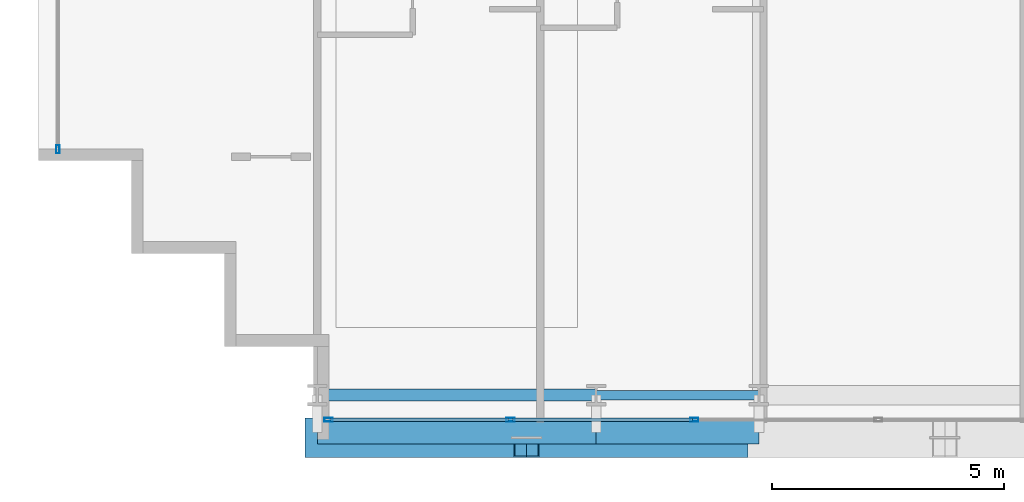
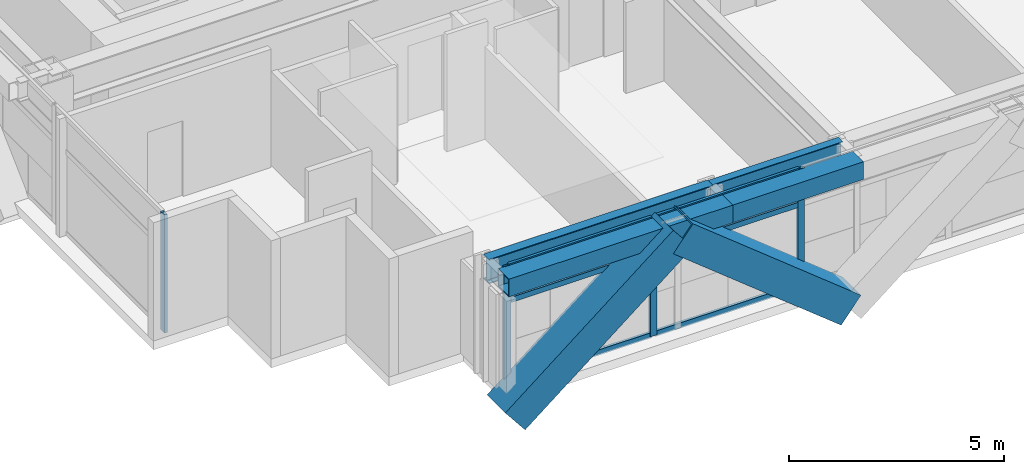
# One storey, part 2 of 35: 12 members, 4 beams, 2 elements without a shape of their own.
"""IFC4 building model written with IfcOpenShell, lengths in metres."""

from ifc_helpers import new_model, si_unit, direction, frame, origin, origin_2d, place, context, subcontext, project, spatial, hollow_rectangle, i_section, extrude, source, transform, mapped, material, layer, layer_set, material_profile, profile_set, type_object, element, aggregate, save


model = new_model("IFC4")

# Units and contexts
model_context = context("Model", 3, precision=1e-05, world=origin(), true_north=direction((0.0, 1.0)))
body_context = subcontext(model_context, "Body", "Model", "MODEL_VIEW")
ifc_project = project(units=[si_unit("LENGTHUNIT", "METRE"), si_unit("AREAUNIT", "SQUARE_METRE"), si_unit("VOLUMEUNIT", "CUBIC_METRE"), si_unit("PLANEANGLEUNIT", "RADIAN"), si_unit("MASSUNIT", "GRAM", prefix="KILO")], contexts=[model_context])

# Site, building, storey
site_placement = place(None, origin())
site = spatial("IfcSite", under=ifc_project, at=site_placement, CompositionType="ELEMENT")
building_placement = place(site_placement, origin())
building = spatial("IfcBuilding", under=site, at=building_placement, Name="Ocotamira Hotel", CompositionType="ELEMENT")
storey_placement = place(building_placement, frame((0.0, 0.0, 70.800048828125)))
storey = spatial("IfcBuildingStorey", under=building, at=storey_placement, Name="L17", CompositionType="ELEMENT", Elevation=70.800048828125)

# Beams
ifc_material_1 = material(Name="Steel ASTM A992 Grade 50", Category="steel")
ifc_material_profile_1 = material_profile(ifc_material_1, i_section(OverallWidth=0.256103515625, OverallDepth=0.693115234375, WebThickness=0.014404296875, FlangeThickness=0.023681640625, FilletRadius=0.01611328125, at=origin_2d()), Name="W27X114")
ifc_profile_set_1 = profile_set([ifc_material_profile_1], Name="Steel ASTM A992 Grade 50")
beam_type_1 = type_object("IfcBeamType", Name="BM-PRIM-W27X114", PredefinedType="BEAM", material=ifc_profile_set_1)
shared_shape_1 = source(origin(), body_context, "Body", "SweptSolid", [
    extrude(i_section(OverallWidth=0.256103515625, OverallDepth=0.693115234375, WebThickness=0.014404296875, FlangeThickness=0.023681640625, FilletRadius=0.01611328125, at=origin_2d()), origin(), (0.0, 0.0, 1.0), 6.0),
])
beam_1_placement = place(storey_placement, frame((14.0, 2.949951171875, 3.00341796875), z_axis=(1.0, 0.0, 0.0), x_axis=(0.0, 1.0, 0.0)))
element("IfcBeam", 1, at=beam_1_placement, inside=storey, type_object=beam_type_1, Name="L17 Girder Y2.95 X14-20", PredefinedType="BEAM", context=body_context, shape_type="MappedRepresentation", body=[
    mapped(shared_shape_1, transform((0.0, 0.0, 0.0), scale=1.0)),
])
ifc_material_profile_2 = material_profile(ifc_material_1, i_section(OverallWidth=0.2099609375, OverallDepth=0.537109375, WebThickness=0.010986328125, FlangeThickness=0.017333984375, FilletRadius=0.012939453125, at=origin_2d()), Name="W21X68")
ifc_profile_set_2 = profile_set([ifc_material_profile_2], Name="Steel ASTM A992 Grade 50")
beam_type_2 = type_object("IfcBeamType", Name="BM-SEC-W21X68", PredefinedType="JOIST", material=ifc_profile_set_2)
shared_shape_2 = source(origin(), body_context, "Body", "SweptSolid", [
    extrude(i_section(OverallWidth=0.2099609375, OverallDepth=0.537109375, WebThickness=0.010986328125, FlangeThickness=0.017333984375, FilletRadius=0.012939453125, at=origin_2d()), origin(), (0.0, 0.0, 1.0), 3.5),
])
beam_2_placement = place(storey_placement, frame((20.0, 2.949951171875, 3.08154296875), z_axis=(1.0, 0.0, 0.0), x_axis=(0.0, 1.0, 0.0)))
element("IfcBeam", 2, at=beam_2_placement, inside=storey, type_object=beam_type_2, Name="L17 Girder Y2.95 X20-23.5", PredefinedType="JOIST", context=body_context, shape_type="MappedRepresentation", body=[
    mapped(shared_shape_2, transform((0.0, 0.0, 0.0), scale=1.0)),
])
ifc_material_2 = material(Name="Steel ASTM A500 Grade C", Category="steel")
ifc_material_profile_3 = material_profile(ifc_material_2, hollow_rectangle(XDim=0.5, YDim=0.5, WallThickness=0.02001953125, at=origin_2d()), Name="HSS500X500X20")
ifc_profile_set_3 = profile_set([ifc_material_profile_3], Name="Steel ASTM A500 Grade C")
beam_type_3 = type_object("IfcBeamType", Name="BM-SPAN-HSS500", PredefinedType="USERDEFINED", material=ifc_profile_set_3)
shared_shape_3 = source(origin(), body_context, "Body", "SweptSolid", [
    extrude(hollow_rectangle(XDim=0.5, YDim=0.5, WallThickness=0.02001953125, at=origin_2d()), origin(), (0.0, 0.0, 1.0), 6.0),
])
beam_3_placement = place(storey_placement, frame((14.0, 2.14990234375, 3.099853515625), z_axis=(1.0, 0.0, 0.0), x_axis=(0.0, 1.0, 0.0)))
element("IfcBeam", 3, at=beam_3_placement, inside=storey, type_object=beam_type_3, Name="L17 Edge Spandrel S X14-20", ObjectType="SPANDREL", PredefinedType="USERDEFINED", context=body_context, shape_type="MappedRepresentation", body=[
    mapped(shared_shape_3, transform((0.0, 0.0, 0.0), scale=1.0)),
])
shared_shape_4 = source(origin(), body_context, "Body", "SweptSolid", [
    extrude(hollow_rectangle(XDim=0.5, YDim=0.5, WallThickness=0.02001953125, at=origin_2d()), origin(), (0.0, 0.0, 1.0), 3.5),
])
beam_4_placement = place(storey_placement, frame((20.0, 2.14990234375, 3.099853515625), z_axis=(1.0, 0.0, 0.0), x_axis=(0.0, 1.0, 0.0)))
element("IfcBeam", 4, at=beam_4_placement, inside=storey, type_object=beam_type_3, Name="L17 Edge Spandrel S X20-23.5", ObjectType="SPANDREL", PredefinedType="USERDEFINED", context=body_context, shape_type="MappedRepresentation", body=[
    mapped(shared_shape_4, transform((0.0, 0.0, 0.0), scale=1.0)),
])

# Members
ifc_material_3 = material(Name="Pale-metal coated steel ASTM A913 Grade 65", Category="steel")
ifc_material_profile_4 = material_profile(ifc_material_3, hollow_rectangle(XDim=0.85009765625, YDim=0.85009765625, WallThickness=0.035888671875, at=origin_2d()), Name="BOX850X850X36")
ifc_profile_set_4 = profile_set([ifc_material_profile_4], Name="Pale-metal coated steel ASTM A913 Grade 65")
member_type_1 = type_object("IfcMemberType", Name="MEM-EXO-BOX850", PredefinedType="BRACE", material=ifc_profile_set_4)
shared_shape_5 = source(origin(), body_context, "Body", "SweptSolid", [
    extrude(hollow_rectangle(XDim=0.85009765625, YDim=0.85009765625, WallThickness=0.035888671875, at=origin_2d()), origin(), (0.0, 0.0, 1.0), 5.7626953125),
])
for number, where, z_axis, x_axis, name in (
    (5, (14.0, 2.030029296875, -0.5), (0.780881208953, 0.0, 0.624679547852), (0.0, 1.0, 0.0), "L17 Exoskeleton Diagrid S0.1"),
    (6, (23.0, 2.030029296875, -0.5), (-0.780881208953, 0.0, 0.624679547852), (0.0, -1.0, 0.0), "L17 Exoskeleton Diagrid S0.2"),
):
    element("IfcMember", number, at=place(storey_placement, frame(where, z_axis=z_axis, x_axis=x_axis)), inside=storey, type_object=member_type_1, Name=name, PredefinedType="BRACE", context=body_context, shape_type="MappedRepresentation", body=[
        mapped(shared_shape_5, transform((0.0, 0.0, 0.0), scale=1.0)),
    ])

# Curtain wall, members
ifc_material_4 = material(Name="Anodised pale-metal aluminium and solar glass", Category="aluminium")
ifc_layer = layer(ifc_material_4, 0.179931640625)
ifc_layer_set = layer_set([ifc_layer], Name="Anodised pale-metal aluminium and solar glass")
curtain_wall_type = type_object("IfcCurtainWallType", Name="CW-SYS2-Z1", PredefinedType="NOTDEFINED", material=ifc_layer_set)
curtain_wall_1_placement = place(storey_placement, origin())
curtain_wall_1 = element("IfcCurtainWall", 7, at=curtain_wall_1_placement, inside=storey, type_object=curtain_wall_type, Name="L17 Curtain Wall CW-2 CW-L17-S1", PredefinedType="NOTDEFINED")
ifc_material_5 = material(Name="Anodised pale-metal aluminium 6063-T6", Category="aluminium")
ifc_material_profile_5 = material_profile(ifc_material_5, hollow_rectangle(XDim=0.080078125, YDim=0.179931640625, WallThickness=0.006103515625, at=origin_2d()), Name="HSS180X80X6")
ifc_profile_set_5 = profile_set([ifc_material_profile_5], Name="Anodised pale-metal aluminium 6063-T6")
member_type_2 = type_object("IfcMemberType", Name="CWM-180X75", PredefinedType="MULLION", material=ifc_profile_set_5)
shared_shape_6 = source(origin(), body_context, "Body", "SweptSolid", [
    extrude(hollow_rectangle(XDim=0.080078125, YDim=0.179931640625, WallThickness=0.006103515625, at=origin_2d()), origin(), (0.0, 0.0, 1.0), 3.349853515625),
])
member_1_placement = place(storey_placement, frame((14.239990234375, 2.419921875, 0.0), z_axis=(0.0, 0.0, 1.0), x_axis=(0.0, 1.0, 0.0)))
member_1 = element("IfcMember", 8, at=member_1_placement, type_object=member_type_2, Name="CW-2 mullion 1", PredefinedType="MULLION", context=body_context, shape_type="MappedRepresentation", body=[
    mapped(shared_shape_6, transform((0.0, 0.0, 0.0), scale=1.0)),
])
member_2_placement = place(storey_placement, frame((18.155517578125, 2.419921875, 0.0), z_axis=(0.0, 0.0, 1.0), x_axis=(0.0, 1.0, 0.0)))
member_2 = element("IfcMember", 9, at=member_2_placement, type_object=member_type_2, Name="CW-2 mullion 2", PredefinedType="MULLION", context=body_context, shape_type="MappedRepresentation", body=[
    mapped(shared_shape_6, transform((0.0, 0.0, 0.0), scale=1.0)),
])
member_3_placement = place(storey_placement, frame((22.111083984375, 2.419921875, 0.0), z_axis=(0.0, 0.0, 1.0), x_axis=(0.0, 1.0, 0.0)))
member_3 = element("IfcMember", 10, at=member_3_placement, type_object=member_type_2, Name="CW-2 mullion 3", PredefinedType="MULLION", context=body_context, shape_type="MappedRepresentation", body=[
    mapped(shared_shape_6, transform((0.0, 0.0, 0.0), scale=1.0)),
])

# Curtain wall, member
curtain_wall_2_placement = place(storey_placement, origin())
curtain_wall_2 = element("IfcCurtainWall", 11, at=curtain_wall_2_placement, inside=storey, type_object=curtain_wall_type, Name="L17 Curtain Wall CW-2 CW-L17-W", PredefinedType="NOTDEFINED")
member_4_placement = place(storey_placement, frame((8.419921875, 8.239990234375, 0.0), z_axis=(0.0, 0.0, 1.0), x_axis=(-1.0, 0.0, 0.0)))
member_4 = element("IfcMember", 12, at=member_4_placement, type_object=member_type_2, Name="CW-2 mullion 1", PredefinedType="MULLION", context=body_context, shape_type="MappedRepresentation", body=[
    mapped(shared_shape_6, transform((0.0, 0.0, 0.0), scale=1.0)),
])
aggregate(curtain_wall_2, [member_4])

# Member
ifc_material_profile_6 = material_profile(ifc_material_5, hollow_rectangle(XDim=0.074951171875, YDim=0.14990234375, WallThickness=0.006103515625, at=origin_2d()), Name="HSS150X75X6")
ifc_profile_set_6 = profile_set([ifc_material_profile_6], Name="Anodised pale-metal aluminium 6063-T6")
member_type_3 = type_object("IfcMemberType", Name="CWT-150X75", PredefinedType="USERDEFINED", material=ifc_profile_set_6)
shared_shape_7 = source(origin(), body_context, "Body", "SweptSolid", [
    extrude(hollow_rectangle(XDim=0.074951171875, YDim=0.14990234375, WallThickness=0.006103515625, at=origin_2d()), origin(), (0.0, 0.0, 1.0), 3.83544921875),
])
member_5_placement = place(storey_placement, frame((14.280029296875, 2.419921875, 0.037353515625), z_axis=(1.0, 0.0, 0.0), x_axis=(0.0, 1.0, 0.0)))
member_5 = element("IfcMember", 13, at=member_5_placement, type_object=member_type_3, Name="CW-2 transom 1.1", ObjectType="TRANSOM", PredefinedType="USERDEFINED", context=body_context, shape_type="MappedRepresentation", body=[
    mapped(shared_shape_7, transform((0.0, 0.0, 0.0), scale=1.0)),
])

member_6_placement = place(storey_placement, frame((14.280029296875, 2.419921875, 2.349853515625), z_axis=(1.0, 0.0, 0.0), x_axis=(0.0, 1.0, 0.0)))
member_6 = element("IfcMember", 14, at=member_6_placement, type_object=member_type_3, Name="CW-2 transom 1.2", ObjectType="TRANSOM", PredefinedType="USERDEFINED", context=body_context, shape_type="MappedRepresentation", body=[
    mapped(shared_shape_7, transform((0.0, 0.0, 0.0), scale=1.0)),
])

member_7_placement = place(storey_placement, frame((14.280029296875, 2.419921875, 3.3125), z_axis=(1.0, 0.0, 0.0), x_axis=(0.0, 1.0, 0.0)))
member_7 = element("IfcMember", 15, at=member_7_placement, type_object=member_type_3, Name="CW-2 transom 1.3", ObjectType="TRANSOM", PredefinedType="USERDEFINED", context=body_context, shape_type="MappedRepresentation", body=[
    mapped(shared_shape_7, transform((0.0, 0.0, 0.0), scale=1.0)),
])

shared_shape_8 = source(origin(), body_context, "Body", "SweptSolid", [
    extrude(hollow_rectangle(XDim=0.074951171875, YDim=0.14990234375, WallThickness=0.006103515625, at=origin_2d()), origin(), (0.0, 0.0, 1.0), 3.87548828125),
])
member_8_placement = place(storey_placement, frame((18.195556640625, 2.419921875, 0.037353515625), z_axis=(1.0, 0.0, 0.0), x_axis=(0.0, 1.0, 0.0)))
member_8 = element("IfcMember", 16, at=member_8_placement, type_object=member_type_3, Name="CW-2 transom 2.1", ObjectType="TRANSOM", PredefinedType="USERDEFINED", context=body_context, shape_type="MappedRepresentation", body=[
    mapped(shared_shape_8, transform((0.0, 0.0, 0.0), scale=1.0)),
])

member_9_placement = place(storey_placement, frame((18.195556640625, 2.419921875, 2.349853515625), z_axis=(1.0, 0.0, 0.0), x_axis=(0.0, 1.0, 0.0)))
member_9 = element("IfcMember", 17, at=member_9_placement, type_object=member_type_3, Name="CW-2 transom 2.2", ObjectType="TRANSOM", PredefinedType="USERDEFINED", context=body_context, shape_type="MappedRepresentation", body=[
    mapped(shared_shape_8, transform((0.0, 0.0, 0.0), scale=1.0)),
])

member_10_placement = place(storey_placement, frame((18.195556640625, 2.419921875, 3.3125), z_axis=(1.0, 0.0, 0.0), x_axis=(0.0, 1.0, 0.0)))
member_10 = element("IfcMember", 18, at=member_10_placement, type_object=member_type_3, Name="CW-2 transom 2.3", ObjectType="TRANSOM", PredefinedType="USERDEFINED", context=body_context, shape_type="MappedRepresentation", body=[
    mapped(shared_shape_8, transform((0.0, 0.0, 0.0), scale=1.0)),
])

aggregate(curtain_wall_1, [member_1, member_2, member_3, member_5, member_6, member_7, member_8, member_9, member_10])

save(model, "model.ifc")
